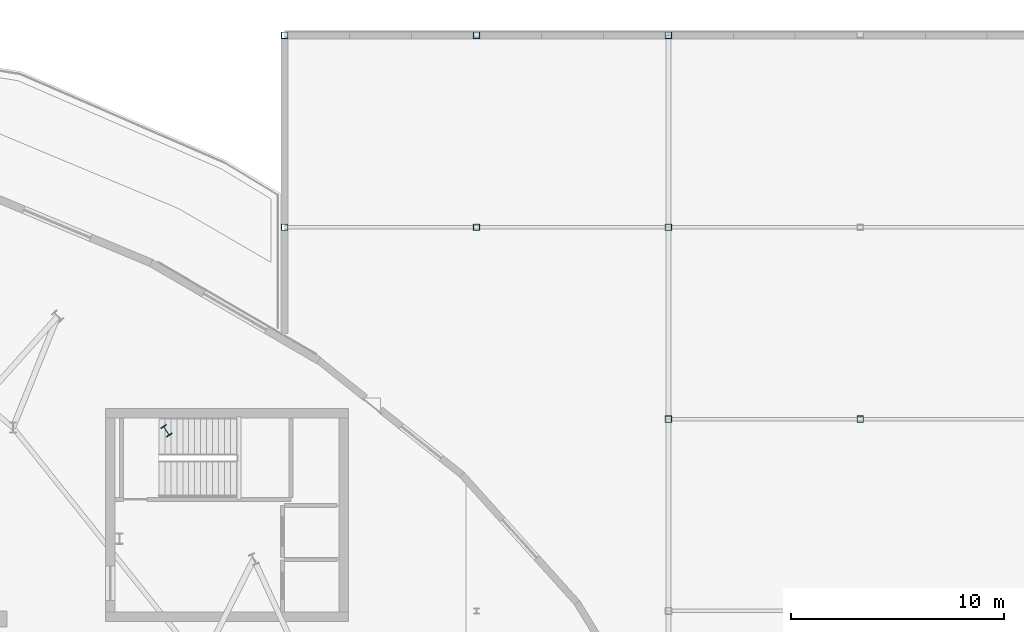
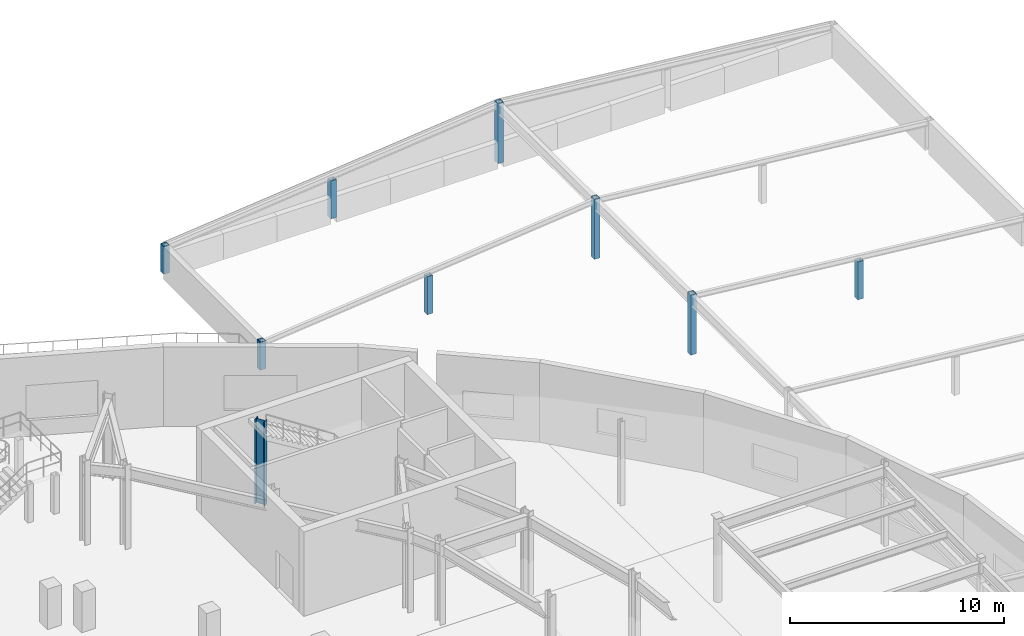
# One storey, part 20 of 84: 9 columns.
"""IFC4 building model written with IfcOpenShell, lengths in metres."""

from ifc_helpers import new_model, si_unit, direction, frame, origin, origin_2d, place, context, subcontext, project, spatial, hollow_rectangle, i_section, extrude, material, material_profile, profile_set, type_object, element, save


model = new_model("IFC4")

# Units and contexts
model_context = context("Model", 3, precision=1e-05, world=origin(), true_north=direction((0.0, 1.0)))
body_context = subcontext(model_context, "Body", "Model", "MODEL_VIEW")
ifc_project = project(units=[si_unit("LENGTHUNIT", "METRE"), si_unit("AREAUNIT", "SQUARE_METRE"), si_unit("VOLUMEUNIT", "CUBIC_METRE"), si_unit("PLANEANGLEUNIT", "RADIAN"), si_unit("MASSUNIT", "GRAM", prefix="KILO")], contexts=[model_context])

# Site, building, storey
site_placement = place(None, origin())
site = spatial("IfcSite", under=ifc_project, at=site_placement, CompositionType="ELEMENT")
building_placement = place(site_placement, origin())
building = spatial("IfcBuilding", under=site, at=building_placement, Name="Glasvene Arena", CompositionType="ELEMENT")
storey_placement = place(building_placement, frame((0.0, 0.0, 10.199951171875)))
storey = spatial("IfcBuildingStorey", under=building, at=storey_placement, Name="L02", CompositionType="ELEMENT", Elevation=10.199951171875)

# Columns
ifc_material = material(Name="Steel S355J2", Category="steel")
ifc_material_profile_1 = material_profile(ifc_material, i_section(OverallWidth=0.305908203125, OverallDepth=0.52392578125, WebThickness=0.02099609375, FlangeThickness=0.0400390625, FilletRadius=0.027099609375, at=origin_2d()), Name="HEM 500")
ifc_profile_set_1 = profile_set([ifc_material_profile_1], Name="Steel S355J2")
column_type_1 = type_object("IfcColumnType", Name="COL-RING-HEM500", PredefinedType="COLUMN", material=ifc_profile_set_1)
column_1_placement = place(storey_placement, frame((132.45068359375, 99.4501953125, 0.0), z_axis=(0.0, 0.0, 1.0), x_axis=(0.836955398099, 0.547271104292, 0.0)))
element("IfcColumn", 1, at=column_1_placement, inside=storey, type_object=column_type_1, Name="Bowl ring column R05 L02", PredefinedType="COLUMN", context=body_context, shape_type="SweptSolid", body=[
    extrude(i_section(OverallWidth=0.305908203125, OverallDepth=0.52392578125, WebThickness=0.02099609375, FlangeThickness=0.0400390625, FilletRadius=0.027099609375, at=origin_2d()), origin(), (0.0, 0.0, 1.0), 4.800048828125),
])
ifc_material_profile_2 = material_profile(ifc_material, hollow_rectangle(XDim=0.300048828125, YDim=0.300048828125, WallThickness=0.012451171875, at=origin_2d()), Name="SHS 300x300x12.5")
ifc_profile_set_2 = profile_set([ifc_material_profile_2], Name="Steel S355J2")
column_type_2 = type_object("IfcColumnType", Name="COL-W-SHS300", PredefinedType="COLUMN", material=ifc_profile_set_2)
column_2_placement = place(storey_placement, frame((156.0, 100.0, 0.0), z_axis=(0.0, 0.0, 1.0), x_axis=(1.0, 0.0, 0.0)))
element("IfcColumn", 2, at=column_2_placement, inside=storey, type_object=column_type_2, Name="Wing roof ridge post V5-11", PredefinedType="COLUMN", context=body_context, shape_type="SweptSolid", body=[
    extrude(hollow_rectangle(XDim=0.300048828125, YDim=0.300048828125, WallThickness=0.012451171875, at=origin_2d()), origin(), (0.0, 0.0, 1.0), 3.43994140625),
])
column_3_placement = place(storey_placement, frame((138.0, 109.0, 0.0), z_axis=(0.0, 0.0, 1.0), x_axis=(1.0, 0.0, 0.0)))
element("IfcColumn", 3, at=column_3_placement, inside=storey, type_object=column_type_2, Name="Wing roof eave post V5-W-12", PredefinedType="COLUMN", context=body_context, shape_type="SweptSolid", body=[
    extrude(hollow_rectangle(XDim=0.300048828125, YDim=0.300048828125, WallThickness=0.012451171875, at=origin_2d()), origin(), (0.0, 0.0, 1.0), 1.590087890625),
])
column_4_placement = place(storey_placement, frame((156.0, 109.0, 0.0), z_axis=(0.0, 0.0, 1.0), x_axis=(1.0, 0.0, 0.0)))
element("IfcColumn", 4, at=column_4_placement, inside=storey, type_object=column_type_2, Name="Wing roof ridge post V5-12", PredefinedType="COLUMN", context=body_context, shape_type="SweptSolid", body=[
    extrude(hollow_rectangle(XDim=0.300048828125, YDim=0.300048828125, WallThickness=0.012451171875, at=origin_2d()), origin(), (0.0, 0.0, 1.0), 3.43994140625),
])
column_5_placement = place(storey_placement, frame((138.0, 118.0, 0.0), z_axis=(0.0, 0.0, 1.0), x_axis=(1.0, 0.0, 0.0)))
element("IfcColumn", 5, at=column_5_placement, inside=storey, type_object=column_type_2, Name="Wing roof eave post V5-W-13", PredefinedType="COLUMN", context=body_context, shape_type="SweptSolid", body=[
    extrude(hollow_rectangle(XDim=0.300048828125, YDim=0.300048828125, WallThickness=0.012451171875, at=origin_2d()), origin(), (0.0, 0.0, 1.0), 1.590087890625),
])
column_6_placement = place(storey_placement, frame((156.0, 118.0, 0.0), z_axis=(0.0, 0.0, 1.0), x_axis=(1.0, 0.0, 0.0)))
element("IfcColumn", 6, at=column_6_placement, inside=storey, type_object=column_type_2, Name="Wing roof ridge post V5-13", PredefinedType="COLUMN", context=body_context, shape_type="SweptSolid", body=[
    extrude(hollow_rectangle(XDim=0.300048828125, YDim=0.300048828125, WallThickness=0.012451171875, at=origin_2d()), origin(), (0.0, 0.0, 1.0), 3.43994140625),
])
for number, where, z_axis, x_axis, name in (
    (7, (165.0, 100.0, 0.0), (0.0, 0.0, 1.0), (1.0, 0.0, 0.0), "Wing roof rafter post V5-GY100-18"),
    (8, (147.0, 109.0, 0.0), (0.0, 0.0, 1.0), (1.0, 0.0, 0.0), "Wing roof rafter post V5-GY109-16"),
    (9, (147.0, 118.0, 0.0), (0.0, 0.0, 1.0), (1.0, 0.0, 0.0), "Wing roof rafter post V5-GN-16"),
):
    element("IfcColumn", number, at=place(storey_placement, frame(where, z_axis=z_axis, x_axis=x_axis)), inside=storey, type_object=column_type_2, Name=name, PredefinedType="COLUMN", context=body_context, shape_type="SweptSolid", body=[
        extrude(hollow_rectangle(XDim=0.300048828125, YDim=0.300048828125, WallThickness=0.012451171875, at=origin_2d()), origin(), (0.0, 0.0, 1.0), 2.163330078125),
    ])

save(model, "model.ifc")
